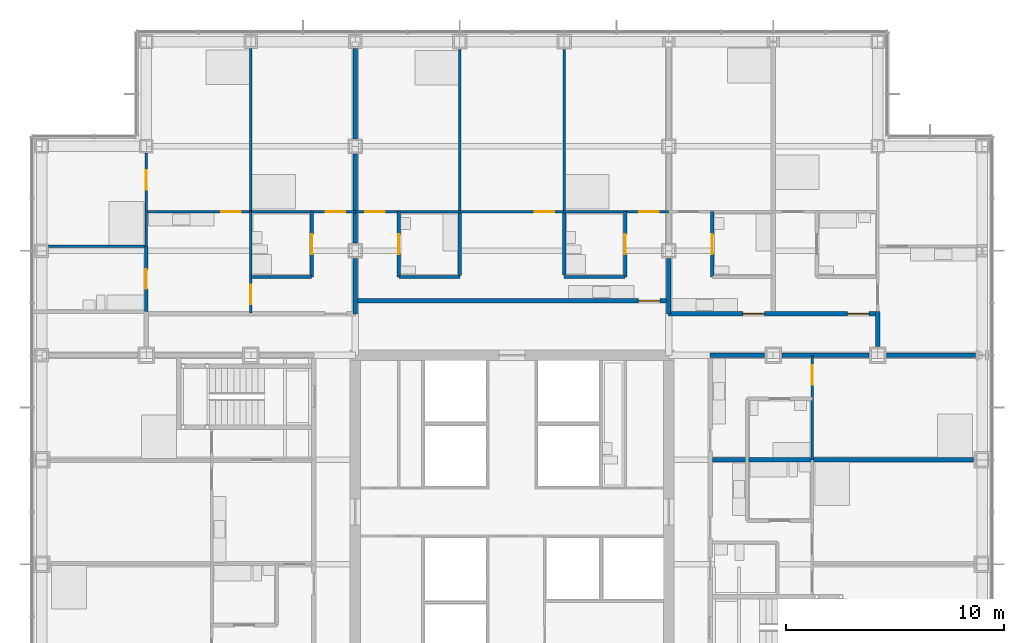
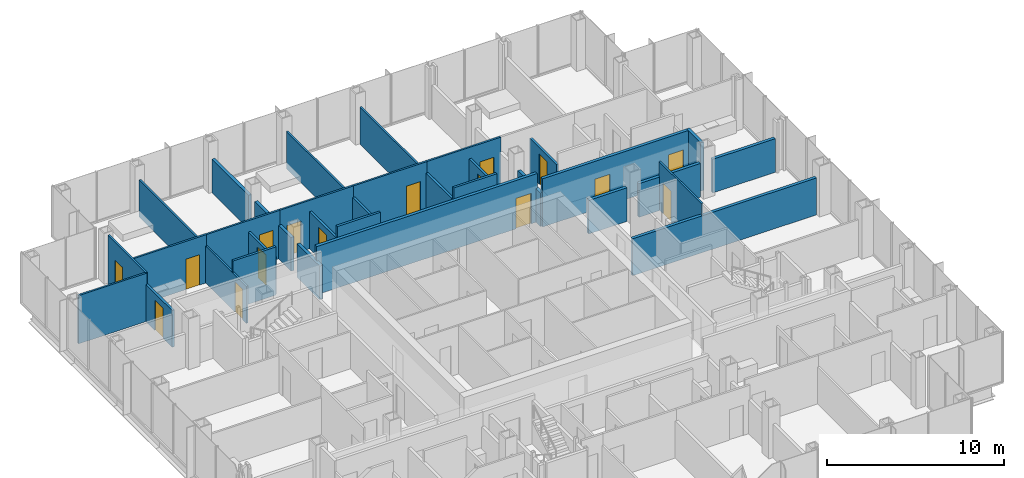
# One storey, part 17 of 21: 33 walls, 16 doors, 16 openings.
"""IFC4 building model written with IfcOpenShell, lengths in metres."""

from ifc_helpers import new_model, si_unit, direction, frame, frame_2d, origin, place, context, subcontext, project, spatial, rectangle, extrude, material, layer, layer_set, type_object, element, fill, save


model = new_model("IFC4")

# Units and contexts
model_context = context("Model", 3, precision=1e-05, world=origin(), true_north=direction((0.0, 1.0)))
body_context = subcontext(model_context, "Body", "Model", "MODEL_VIEW")
ifc_project = project(units=[si_unit("LENGTHUNIT", "METRE"), si_unit("AREAUNIT", "SQUARE_METRE"), si_unit("VOLUMEUNIT", "CUBIC_METRE"), si_unit("PLANEANGLEUNIT", "RADIAN"), si_unit("MASSUNIT", "GRAM", prefix="KILO")], contexts=[model_context])

# Site, building, storey
site_placement = place(None, origin())
site = spatial("IfcSite", under=ifc_project, at=site_placement, CompositionType="ELEMENT")
building_placement = place(site_placement, origin())
building = spatial("IfcBuilding", under=site, at=building_placement, Name="Kvirike Care Tower", CompositionType="ELEMENT")
storey_placement = place(building_placement, frame((0.0, 0.0, 41.0)))
storey = spatial("IfcBuildingStorey", under=building, at=storey_placement, Name="L10", CompositionType="ELEMENT", Elevation=41.0)

# Wall, opening, door
ifc_material_1 = material(Name="Moisture-resistant board partition", Category="gypsum")
ifc_layer_1 = layer(ifc_material_1, 0.14990234375)
ifc_layer_set_1 = layer_set([ifc_layer_1], Name="BATHROOM WALL 150")
wall_type_1 = type_object("IfcWallType", Name="BATHROOM WALL 150", PredefinedType="PARTITIONING", material=ifc_layer_set_1)
wall_1_placement = place(storey_placement, frame((12.39990234375, 49.800048828125, 0.0), z_axis=(0.0, 0.0, 1.0), x_axis=(0.0, -1.0, 0.0)))
wall_1 = element("IfcWall", 1, at=wall_1_placement, inside=storey, type_object=wall_type_1, Name="Bathroom Wall 150 L10", PredefinedType="PARTITIONING", context=body_context, shape_type="SweptSolid", body=[
    extrude(rectangle(XDim=3.0, YDim=0.14990234375, at=frame_2d((1.5, 0.0))), origin(), (0.0, 0.0, 1.0), 2.550048828125),
])
opening_1_placement = place(wall_1_placement, frame((1.050048828125, 0.0, 0.0)))
opening_1 = element("IfcOpeningElement", 2, at=opening_1_placement, cuts=wall_1, Name="Opening 10-017", PredefinedType="OPENING", context=body_context, shape_type="SweptSolid", body=[
    extrude(rectangle(XDim=0.89990234375, YDim=2.10009765625, at=frame_2d((0.449951171875, 1.050048828125))), frame((0.0, 0.08544921875, 0.0), z_axis=(0.0, -1.0, 0.0), x_axis=(1.0, 0.0, 0.0)), (0.0, 0.0, 1.0), 0.1708984375),
])
ifc_material_2 = material(Name="Timber door set", Category="wood")
door_type_1 = type_object("IfcDoorType", Name="BATHROOM DOOR 900", OperationType="SINGLE_SWING_RIGHT", PredefinedType="DOOR", material=ifc_material_2)
door_1_placement = place(opening_1_placement, frame((0.89990234375, 0.0, 0.0), z_axis=(0.0, 0.0, 1.0), x_axis=(-1.0, 0.0, 0.0)))
door_1 = element("IfcDoor", 3, at=door_1_placement, inside=storey, type_object=door_type_1, Name="Shower room door", OperationType="SINGLE_SWING_LEFT", OverallHeight=2.10009765625, OverallWidth=0.89990234375, PredefinedType="DOOR", context=body_context, shape_type="SweptSolid", body=[
    extrude(rectangle(XDim=0.89990234375, YDim=2.10009765625, at=frame_2d((0.449951171875, 1.050048828125))), frame((0.0, 0.02197265625, 0.0), z_axis=(0.0, -1.0, 0.0), x_axis=(1.0, 0.0, 0.0)), (0.0, 0.0, 1.0), 0.0439453125),
])
fill(opening_1, door_1)

# Wall
wall_2_placement = place(storey_placement, frame((12.39990234375, 46.800048828125, 0.0), z_axis=(0.0, 0.0, 1.0), x_axis=(-1.0, 0.0, 0.0)))
element("IfcWall", 4, at=wall_2_placement, inside=storey, type_object=wall_type_1, Name="Bathroom Wall 150 L10", PredefinedType="PARTITIONING", context=body_context, shape_type="SweptSolid", body=[
    extrude(rectangle(XDim=2.7998046875, YDim=0.14990234375, at=frame_2d((1.39990234375, 0.0))), origin(), (0.0, 0.0, 1.0), 3.330078125),
])

# Wall, opening, door
wall_3_placement = place(storey_placement, frame((4.800048828125, 48.199951171875, 0.0), z_axis=(0.0, 0.0, 1.0), x_axis=(0.0, -1.0, 0.0)))
wall_3 = element("IfcWall", 5, at=wall_3_placement, inside=storey, type_object=wall_type_1, Name="Bathroom Wall 150 L10", PredefinedType="PARTITIONING", context=body_context, shape_type="SweptSolid", body=[
    extrude(rectangle(XDim=3.0, YDim=0.14990234375, at=frame_2d((1.5, 0.0))), origin(), (0.0, 0.0, 1.0), 2.550048828125),
])
opening_2_placement = place(wall_3_placement, frame((1.050048828125, 0.0, 0.0)))
opening_2 = element("IfcOpeningElement", 6, at=opening_2_placement, cuts=wall_3, Name="Opening 10-018", PredefinedType="OPENING", context=body_context, shape_type="SweptSolid", body=[
    extrude(rectangle(XDim=0.89990234375, YDim=2.10009765625, at=frame_2d((0.449951171875, 1.050048828125))), frame((0.0, 0.08544921875, 0.0), z_axis=(0.0, -1.0, 0.0), x_axis=(1.0, 0.0, 0.0)), (0.0, 0.0, 1.0), 0.1708984375),
])
door_2_placement = place(opening_2_placement, frame((0.89990234375, 0.0, 0.0), z_axis=(0.0, 0.0, 1.0), x_axis=(-1.0, 0.0, 0.0)))
door_2 = element("IfcDoor", 7, at=door_2_placement, inside=storey, type_object=door_type_1, Name="Bathroom door", OperationType="SINGLE_SWING_RIGHT", OverallHeight=2.10009765625, OverallWidth=0.89990234375, PredefinedType="DOOR", context=body_context, shape_type="SweptSolid", body=[
    extrude(rectangle(XDim=0.89990234375, YDim=2.10009765625, at=frame_2d((0.449951171875, 1.050048828125))), frame((0.0, 0.02197265625, 0.0), z_axis=(0.0, -1.0, 0.0), x_axis=(1.0, 0.0, 0.0)), (0.0, 0.0, 1.0), 0.0439453125),
])
fill(opening_2, door_2)

wall_4_placement = place(storey_placement, frame((26.800048828125, 49.800048828125, 0.0), z_axis=(0.0, 0.0, 1.0), x_axis=(0.0, -1.0, 0.0)))
wall_4 = element("IfcWall", 8, at=wall_4_placement, inside=storey, type_object=wall_type_1, Name="Bathroom Wall 150 L10", PredefinedType="PARTITIONING", context=body_context, shape_type="SweptSolid", body=[
    extrude(rectangle(XDim=3.0, YDim=0.14990234375, at=frame_2d((1.5, 0.0))), origin(), (0.0, 0.0, 1.0), 2.550048828125),
])
opening_3_placement = place(wall_4_placement, frame((1.050048828125, 0.0, 0.0)))
opening_3 = element("IfcOpeningElement", 9, at=opening_3_placement, cuts=wall_4, Name="Opening 10-033", PredefinedType="OPENING", context=body_context, shape_type="SweptSolid", body=[
    extrude(rectangle(XDim=0.89990234375, YDim=2.10009765625, at=frame_2d((0.449951171875, 1.050048828125))), frame((0.0, 0.08544921875, 0.0), z_axis=(0.0, -1.0, 0.0), x_axis=(1.0, 0.0, 0.0)), (0.0, 0.0, 1.0), 0.1708984375),
])
door_3_placement = place(opening_3_placement, frame((0.89990234375, 0.0, 0.0), z_axis=(0.0, 0.0, 1.0), x_axis=(-1.0, 0.0, 0.0)))
door_3 = element("IfcDoor", 10, at=door_3_placement, inside=storey, type_object=door_type_1, Name="Shower room door", OperationType="SINGLE_SWING_RIGHT", OverallHeight=2.10009765625, OverallWidth=0.89990234375, PredefinedType="DOOR", context=body_context, shape_type="SweptSolid", body=[
    extrude(rectangle(XDim=0.89990234375, YDim=2.10009765625, at=frame_2d((0.449951171875, 1.050048828125))), frame((0.0, 0.02197265625, 0.0), z_axis=(0.0, -1.0, 0.0), x_axis=(1.0, 0.0, 0.0)), (0.0, 0.0, 1.0), 0.0439453125),
])
fill(opening_3, door_3)

# Wall
wall_5_placement = place(storey_placement, frame((26.800048828125, 46.800048828125, 0.0), z_axis=(0.0, 0.0, 1.0), x_axis=(-1.0, 0.0, 0.0)))
element("IfcWall", 11, at=wall_5_placement, inside=storey, type_object=wall_type_1, Name="Bathroom Wall 150 L10", PredefinedType="PARTITIONING", context=body_context, shape_type="SweptSolid", body=[
    extrude(rectangle(XDim=2.800048828125, YDim=0.14990234375, at=frame_2d((1.39990234375, 0.0))), origin(), (0.0, 0.0, 1.0), 3.330078125),
])

# Wall, opening, door
wall_6_placement = place(storey_placement, frame((16.39990234375, 49.800048828125, 0.0), z_axis=(0.0, 0.0, 1.0), x_axis=(0.0, -1.0, 0.0)))
wall_6 = element("IfcWall", 12, at=wall_6_placement, inside=storey, type_object=wall_type_1, Name="Bathroom Wall 150 L10", PredefinedType="PARTITIONING", context=body_context, shape_type="SweptSolid", body=[
    extrude(rectangle(XDim=3.0, YDim=0.14990234375, at=frame_2d((1.5, 0.0))), origin(), (0.0, 0.0, 1.0), 2.550048828125),
])
opening_4_placement = place(wall_6_placement, frame((1.050048828125, 0.0, 0.0)))
opening_4 = element("IfcOpeningElement", 13, at=opening_4_placement, cuts=wall_6, Name="Opening 10-034", PredefinedType="OPENING", context=body_context, shape_type="SweptSolid", body=[
    extrude(rectangle(XDim=0.89990234375, YDim=2.10009765625, at=frame_2d((0.449951171875, 1.050048828125))), frame((0.0, 0.08544921875, 0.0), z_axis=(0.0, -1.0, 0.0), x_axis=(1.0, 0.0, 0.0)), (0.0, 0.0, 1.0), 0.1708984375),
])
door_4_placement = place(opening_4_placement, origin())
door_4 = element("IfcDoor", 14, at=door_4_placement, inside=storey, type_object=door_type_1, Name="Bathroom door", OperationType="SINGLE_SWING_RIGHT", OverallHeight=2.10009765625, OverallWidth=0.89990234375, PredefinedType="DOOR", context=body_context, shape_type="SweptSolid", body=[
    extrude(rectangle(XDim=0.89990234375, YDim=2.10009765625, at=frame_2d((0.449951171875, 1.050048828125))), frame((0.0, 0.02197265625, 0.0), z_axis=(0.0, -1.0, 0.0), x_axis=(1.0, 0.0, 0.0)), (0.0, 0.0, 1.0), 0.0439453125),
])
fill(opening_4, door_4)

# Wall
wall_7_placement = place(storey_placement, frame((19.199951171875, 46.800048828125, 0.0), z_axis=(0.0, 0.0, 1.0), x_axis=(-1.0, 0.0, 0.0)))
element("IfcWall", 15, at=wall_7_placement, inside=storey, type_object=wall_type_1, Name="Bathroom Wall 150 L10", PredefinedType="PARTITIONING", context=body_context, shape_type="SweptSolid", body=[
    extrude(rectangle(XDim=2.800048828125, YDim=0.14990234375, at=frame_2d((1.39990234375, 0.0))), origin(), (0.0, 0.0, 1.0), 3.330078125),
])

# Wall, opening, door
wall_8_placement = place(storey_placement, frame((30.800048828125, 49.800048828125, 0.0), z_axis=(0.0, 0.0, 1.0), x_axis=(0.0, -1.0, 0.0)))
wall_8 = element("IfcWall", 16, at=wall_8_placement, inside=storey, type_object=wall_type_1, Name="Bathroom Wall 150 L10", PredefinedType="PARTITIONING", context=body_context, shape_type="SweptSolid", body=[
    extrude(rectangle(XDim=3.0, YDim=0.14990234375, at=frame_2d((1.5, 0.0))), origin(), (0.0, 0.0, 1.0), 2.550048828125),
])
opening_5_placement = place(wall_8_placement, frame((1.050048828125, 0.0, 0.0)))
opening_5 = element("IfcOpeningElement", 17, at=opening_5_placement, cuts=wall_8, Name="Opening 10-060", PredefinedType="OPENING", context=body_context, shape_type="SweptSolid", body=[
    extrude(rectangle(XDim=0.89990234375, YDim=2.10009765625, at=frame_2d((0.449951171875, 1.050048828125))), frame((0.0, 0.08544921875, 0.0), z_axis=(0.0, -1.0, 0.0), x_axis=(1.0, 0.0, 0.0)), (0.0, 0.0, 1.0), 0.1708984375),
])
door_5_placement = place(opening_5_placement, origin())
door_5 = element("IfcDoor", 18, at=door_5_placement, inside=storey, type_object=door_type_1, Name="Bathroom door", OperationType="SINGLE_SWING_RIGHT", OverallHeight=2.10009765625, OverallWidth=0.89990234375, PredefinedType="DOOR", context=body_context, shape_type="SweptSolid", body=[
    extrude(rectangle(XDim=0.89990234375, YDim=2.10009765625, at=frame_2d((0.449951171875, 1.050048828125))), frame((0.0, 0.02197265625, 0.0), z_axis=(0.0, -1.0, 0.0), x_axis=(1.0, 0.0, 0.0)), (0.0, 0.0, 1.0), 0.0439453125),
])
fill(opening_5, door_5)

# Walls
for number, where, z_axis, x_axis, name in (
    (19, (24.0, 46.875, 0.0), (0.0, 0.0, 1.0), (0.0, 1.0, 0.0), "Bathroom Wall 150 L10"),
    (20, (19.199951171875, 49.739990234375, 0.0), (0.0, 0.0, 1.0), (0.0, -1.0, 0.0), "Bathroom Wall 150 L10"),
):
    element("IfcWall", number, at=place(storey_placement, frame(where, z_axis=z_axis, x_axis=x_axis)), inside=storey, type_object=wall_type_1, Name=name, PredefinedType="PARTITIONING", context=body_context, shape_type="SweptSolid", body=[
        extrude(rectangle(XDim=2.864990234375, YDim=0.14990234375, at=frame_2d((1.4326171875, 0.0))), origin(), (0.0, 0.0, 1.0), 2.550048828125),
    ])

# Wall, opening, door
ifc_material_3 = material(Name="Plasterboard corridor wall", Category="gypsum")
ifc_layer_2 = layer(ifc_material_3, 0.199951171875)
ifc_layer_set_2 = layer_set([ifc_layer_2], Name="CORRIDOR WALL 200")
wall_type_2 = type_object("IfcWallType", Name="CORRIDOR WALL 200", PredefinedType="PARTITIONING", material=ifc_layer_set_2)
wall_9_placement = place(storey_placement, frame((28.800048828125, 45.699951171875, 0.0), z_axis=(0.0, 0.0, 1.0), x_axis=(-1.0, 0.0, 0.0)))
wall_9 = element("IfcWall", 21, at=wall_9_placement, inside=storey, type_object=wall_type_2, Name="Corridor Wall 200 L10", PredefinedType="PARTITIONING", context=body_context, shape_type="SweptSolid", body=[
    extrude(rectangle(XDim=14.400146484375, YDim=0.199951171875, at=frame_2d((7.2001953125, 0.0))), origin(), (0.0, 0.0, 1.0), 3.330078125),
])
opening_6_placement = place(wall_9_placement, frame((0.39990234375, 0.0, 0.0)))
opening_6 = element("IfcOpeningElement", 22, at=opening_6_placement, cuts=wall_9, Name="Opening 10-038", PredefinedType="OPENING", context=body_context, shape_type="SweptSolid", body=[
    extrude(rectangle(XDim=1.0, YDim=2.10009765625, at=frame_2d((0.5, 1.050048828125))), frame((0.0, 0.110595703125, 0.0), z_axis=(0.0, -1.0, 0.0), x_axis=(1.0, 0.0, 0.0)), (0.0, 0.0, 1.0), 0.220947265625),
])
ifc_material_4 = material(Name="Timber door set", Category="wood")
door_type_2 = type_object("IfcDoorType", Name="FLAT ENTRANCE DOOR 1000", OperationType="SINGLE_SWING_LEFT", PredefinedType="DOOR", material=ifc_material_4)
door_6_placement = place(opening_6_placement, frame((1.0, 0.0, 0.0), z_axis=(0.0, 0.0, 1.0), x_axis=(-1.0, 0.0, 0.0)))
door_6 = element("IfcDoor", 23, at=door_6_placement, inside=storey, type_object=door_type_2, Name="Two-bedroom apartment entrance", OperationType="SINGLE_SWING_LEFT", OverallHeight=2.10009765625, OverallWidth=1.0, PredefinedType="DOOR", context=body_context, shape_type="SweptSolid", body=[
    extrude(rectangle(XDim=1.0, YDim=2.10009765625, at=frame_2d((0.5, 1.050048828125))), frame((0.0, 0.02685546875, 0.0), z_axis=(0.0, -1.0, 0.0), x_axis=(1.0, 0.0, 0.0)), (0.0, 0.0, 1.0), 0.053955078125),
])
fill(opening_6, door_6)

# Wall, openings, doors
wall_10_placement = place(storey_placement, frame((38.39990234375, 45.10009765625, 0.0), z_axis=(0.0, 0.0, 1.0), x_axis=(-1.0, 0.0, 0.0)))
wall_10 = element("IfcWall", 24, at=wall_10_placement, inside=storey, type_object=wall_type_2, Name="Corridor Wall 200 L10", PredefinedType="PARTITIONING", context=body_context, shape_type="SweptSolid", body=[
    extrude(rectangle(XDim=9.599853515625, YDim=0.199951171875, at=frame_2d((4.7998046875, 0.0))), origin(), (0.0, 0.0, 1.0), 3.330078125),
])
opening_7_placement = place(wall_10_placement, frame((0.39990234375, 0.0, 0.0)))
opening_7 = element("IfcOpeningElement", 25, at=opening_7_placement, cuts=wall_10, Name="Opening 10-062", PredefinedType="OPENING", context=body_context, shape_type="SweptSolid", body=[
    extrude(rectangle(XDim=1.0, YDim=2.10009765625, at=frame_2d((0.5, 1.050048828125))), frame((0.0, 0.110595703125, 0.0), z_axis=(0.0, -1.0, 0.0), x_axis=(1.0, 0.0, 0.0)), (0.0, 0.0, 1.0), 0.220947265625),
])
opening_8_placement = place(wall_10_placement, frame((5.199951171875, 0.0, 0.0)))
opening_8 = element("IfcOpeningElement", 26, at=opening_8_placement, cuts=wall_10, Name="Opening 10-063", PredefinedType="OPENING", context=body_context, shape_type="SweptSolid", body=[
    extrude(rectangle(XDim=1.0, YDim=2.10009765625, at=frame_2d((0.5, 1.050048828125))), frame((0.0, 0.110595703125, 0.0), z_axis=(0.0, -1.0, 0.0), x_axis=(1.0, 0.0, 0.0)), (0.0, 0.0, 1.0), 0.220947265625),
])
door_7_placement = place(opening_7_placement, frame((1.0, 0.0, 0.0), z_axis=(0.0, 0.0, 1.0), x_axis=(-1.0, 0.0, 0.0)))
door_7 = element("IfcDoor", 27, at=door_7_placement, inside=storey, type_object=door_type_2, Name="One-bedroom apartment entrance", OperationType="SINGLE_SWING_LEFT", OverallHeight=2.10009765625, OverallWidth=1.0, PredefinedType="DOOR", context=body_context, shape_type="SweptSolid", body=[
    extrude(rectangle(XDim=1.0, YDim=2.10009765625, at=frame_2d((0.5, 1.050048828125))), frame((0.0, 0.02685546875, 0.0), z_axis=(0.0, -1.0, 0.0), x_axis=(1.0, 0.0, 0.0)), (0.0, 0.0, 1.0), 0.053955078125),
])
fill(opening_7, door_7)
door_8_placement = place(opening_8_placement, frame((1.0, 0.0, 0.0), z_axis=(0.0, 0.0, 1.0), x_axis=(-1.0, 0.0, 0.0)))
door_8 = element("IfcDoor", 28, at=door_8_placement, inside=storey, type_object=door_type_2, Name="Studio apartment entrance", OperationType="SINGLE_SWING_LEFT", OverallHeight=2.10009765625, OverallWidth=1.0, PredefinedType="DOOR", context=body_context, shape_type="SweptSolid", body=[
    extrude(rectangle(XDim=1.0, YDim=2.10009765625, at=frame_2d((0.5, 1.050048828125))), frame((0.0, 0.02685546875, 0.0), z_axis=(0.0, -1.0, 0.0), x_axis=(1.0, 0.0, 0.0)), (0.0, 0.0, 1.0), 0.053955078125),
])
fill(opening_8, door_8)

# Wall
wall_11_placement = place(storey_placement, frame((38.39990234375, 45.199951171875, 0.0), z_axis=(0.0, 0.0, 1.0), x_axis=(0.0, -1.0, 0.0)))
element("IfcWall", 29, at=wall_11_placement, inside=storey, type_object=wall_type_2, Name="Corridor Wall 200 L10", PredefinedType="PARTITIONING", context=body_context, shape_type="SweptSolid", body=[
    extrude(rectangle(XDim=1.60498046875, YDim=0.199951171875, at=frame_2d((0.802490234375, 0.0))), origin(), (0.0, 0.0, 1.0), 3.330078125),
])

# Wall, opening, door
ifc_material_5 = material(Name="Plasterboard partition", Category="gypsum")
ifc_layer_3 = layer(ifc_material_5, 0.1201171875)
ifc_layer_set_3 = layer_set([ifc_layer_3], Name="PARTITION 120")
wall_type_3 = type_object("IfcWallType", Name="PARTITION 120", PredefinedType="PARTITIONING", material=ifc_layer_set_3)
wall_12_placement = place(storey_placement, frame((9.60009765625, 49.800048828125, 0.0), z_axis=(0.0, 0.0, 1.0), x_axis=(0.0, -1.0, 0.0)))
wall_12 = element("IfcWall", 30, at=wall_12_placement, inside=storey, type_object=wall_type_3, Name="Partition 120 L10", PredefinedType="PARTITIONING", context=body_context, shape_type="SweptSolid", body=[
    extrude(rectangle(XDim=4.650146484375, YDim=0.1201171875, at=frame_2d((2.3251953125, 0.0))), origin(), (0.0, 0.0, 1.0), 2.550048828125),
])
opening_9_placement = place(wall_12_placement, frame((3.35009765625, 0.0, 0.0)))
opening_9 = element("IfcOpeningElement", 31, at=opening_9_placement, cuts=wall_12, Name="Opening 10-019", PredefinedType="OPENING", context=body_context, shape_type="SweptSolid", body=[
    extrude(rectangle(XDim=0.89990234375, YDim=2.10009765625, at=frame_2d((0.449951171875, 1.050048828125))), frame((0.0, 0.070556640625, 0.0), z_axis=(0.0, -1.0, 0.0), x_axis=(1.0, 0.0, 0.0)), (0.0, 0.0, 1.0), 0.14111328125),
])
ifc_material_6 = material(Name="Timber door set", Category="wood")
door_type_3 = type_object("IfcDoorType", Name="INTERNAL DOOR 900", OperationType="SINGLE_SWING_LEFT", PredefinedType="DOOR", material=ifc_material_6)
door_9_placement = place(opening_9_placement, origin())
door_9 = element("IfcDoor", 32, at=door_9_placement, inside=storey, type_object=door_type_3, Name="Hall door", OperationType="SINGLE_SWING_RIGHT", OverallHeight=2.10009765625, OverallWidth=0.89990234375, PredefinedType="DOOR", context=body_context, shape_type="SweptSolid", body=[
    extrude(rectangle(XDim=0.89990234375, YDim=2.10009765625, at=frame_2d((0.449951171875, 1.050048828125))), frame((0.0, 0.02197265625, 0.0), z_axis=(0.0, -1.0, 0.0), x_axis=(1.0, 0.0, 0.0)), (0.0, 0.0, 1.0), 0.0439453125),
])
fill(opening_9, door_9)

wall_13_placement = place(storey_placement, frame((14.39990234375, 49.800048828125, 0.0), z_axis=(0.0, 0.0, 1.0), x_axis=(-1.0, 0.0, 0.0)))
wall_13 = element("IfcWall", 33, at=wall_13_placement, inside=storey, type_object=wall_type_3, Name="Partition 120 L10", PredefinedType="PARTITIONING", context=body_context, shape_type="SweptSolid", body=[
    extrude(rectangle(XDim=4.7998046875, YDim=0.1201171875, at=frame_2d((2.39990234375, 0.0))), origin(), (0.0, 0.0, 1.0), 3.330078125),
])
opening_10_placement = place(wall_13_placement, frame((0.449951171875, 0.0, 0.0)))
opening_10 = element("IfcOpeningElement", 34, at=opening_10_placement, cuts=wall_13, Name="Opening 10-020", PredefinedType="OPENING", context=body_context, shape_type="SweptSolid", body=[
    extrude(rectangle(XDim=0.89990234375, YDim=2.10009765625, at=frame_2d((0.449951171875, 1.050048828125))), frame((0.0, 0.070556640625, 0.0), z_axis=(0.0, -1.0, 0.0), x_axis=(1.0, 0.0, 0.0)), (0.0, 0.0, 1.0), 0.14111328125),
])
door_10_placement = place(opening_10_placement, origin())
door_10 = element("IfcDoor", 35, at=door_10_placement, inside=storey, type_object=door_type_3, Name="Apartment bedroom door", OperationType="SINGLE_SWING_RIGHT", OverallHeight=2.10009765625, OverallWidth=0.89990234375, PredefinedType="DOOR", context=body_context, shape_type="SweptSolid", body=[
    extrude(rectangle(XDim=0.89990234375, YDim=2.10009765625, at=frame_2d((0.449951171875, 1.050048828125))), frame((0.0, 0.02197265625, 0.0), z_axis=(0.0, -1.0, 0.0), x_axis=(1.0, 0.0, 0.0)), (0.0, 0.0, 1.0), 0.0439453125),
])
fill(opening_10, door_10)

wall_14_placement = place(storey_placement, frame((9.60009765625, 49.800048828125, 0.0), z_axis=(0.0, 0.0, 1.0), x_axis=(-1.0, 0.0, 0.0)))
wall_14 = element("IfcWall", 36, at=wall_14_placement, inside=storey, type_object=wall_type_3, Name="Partition 120 L10", PredefinedType="PARTITIONING", context=body_context, shape_type="SweptSolid", body=[
    extrude(rectangle(XDim=4.800048828125, YDim=0.1201171875, at=frame_2d((2.39990234375, 0.0))), origin(), (0.0, 0.0, 1.0), 3.330078125),
])
opening_11_placement = place(wall_14_placement, frame((0.449951171875, 0.0, 0.0)))
opening_11 = element("IfcOpeningElement", 37, at=opening_11_placement, cuts=wall_14, Name="Opening 10-021", PredefinedType="OPENING", context=body_context, shape_type="SweptSolid", body=[
    extrude(rectangle(XDim=0.89990234375, YDim=2.10009765625, at=frame_2d((0.449951171875, 1.050048828125))), frame((0.0, 0.070556640625, 0.0), z_axis=(0.0, -1.0, 0.0), x_axis=(1.0, 0.0, 0.0)), (0.0, 0.0, 1.0), 0.14111328125),
])
door_11_placement = place(opening_11_placement, origin())
door_11 = element("IfcDoor", 38, at=door_11_placement, inside=storey, type_object=door_type_3, Name="Apartment bedroom door", OperationType="SINGLE_SWING_RIGHT", OverallHeight=2.10009765625, OverallWidth=0.89990234375, PredefinedType="DOOR", context=body_context, shape_type="SweptSolid", body=[
    extrude(rectangle(XDim=0.89990234375, YDim=2.10009765625, at=frame_2d((0.449951171875, 1.050048828125))), frame((0.0, 0.02197265625, 0.0), z_axis=(0.0, -1.0, 0.0), x_axis=(1.0, 0.0, 0.0)), (0.0, 0.0, 1.0), 0.0439453125),
])
fill(opening_11, door_11)

# Walls
wall_15_placement = place(storey_placement, frame((4.800048828125, 48.199951171875, 0.0), z_axis=(0.0, 0.0, 1.0), x_axis=(-1.0, 0.0, 0.0)))
element("IfcWall", 39, at=wall_15_placement, inside=storey, type_object=wall_type_3, Name="Partition 120 L10", PredefinedType="PARTITIONING", context=body_context, shape_type="SweptSolid", body=[
    extrude(rectangle(XDim=4.47998046875, YDim=0.1201171875, at=frame_2d((2.239990234375, 0.0))), origin(), (0.0, 0.0, 1.0), 3.330078125),
])
wall_16_placement = place(storey_placement, frame((9.60009765625, 57.280029296875, 0.0), z_axis=(0.0, 0.0, 1.0), x_axis=(0.0, -1.0, 0.0)))
element("IfcWall", 40, at=wall_16_placement, inside=storey, type_object=wall_type_3, Name="Partition 120 L10", PredefinedType="PARTITIONING", context=body_context, shape_type="SweptSolid", body=[
    extrude(rectangle(XDim=7.47998046875, YDim=0.1201171875, at=frame_2d((3.739990234375, 0.0))), origin(), (0.0, 0.0, 1.0), 2.550048828125),
])

# Wall, opening, door
wall_17_placement = place(storey_placement, frame((4.800048828125, 52.47998046875, 0.0), z_axis=(0.0, 0.0, 1.0), x_axis=(0.0, -1.0, 0.0)))
wall_17 = element("IfcWall", 41, at=wall_17_placement, inside=storey, type_object=wall_type_3, Name="Partition 120 L10", PredefinedType="PARTITIONING", context=body_context, shape_type="SweptSolid", body=[
    extrude(rectangle(XDim=4.280029296875, YDim=0.1201171875, at=frame_2d((2.14013671875, 0.0))), origin(), (0.0, 0.0, 1.0), 3.330078125),
])
opening_12_placement = place(wall_17_placement, frame((0.780029296875, 0.0, 0.0)))
opening_12 = element("IfcOpeningElement", 42, at=opening_12_placement, cuts=wall_17, Name="Opening 10-022", PredefinedType="OPENING", context=body_context, shape_type="SweptSolid", body=[
    extrude(rectangle(XDim=0.89990234375, YDim=2.10009765625, at=frame_2d((0.449951171875, 1.050048828125))), frame((0.0, 0.070556640625, 0.0), z_axis=(0.0, -1.0, 0.0), x_axis=(1.0, 0.0, 0.0)), (0.0, 0.0, 1.0), 0.14111328125),
])
door_12_placement = place(opening_12_placement, frame((0.89990234375, 0.0, 0.0), z_axis=(0.0, 0.0, 1.0), x_axis=(-1.0, 0.0, 0.0)))
door_12 = element("IfcDoor", 43, at=door_12_placement, inside=storey, type_object=door_type_3, Name="Connecting door", OperationType="SINGLE_SWING_LEFT", OverallHeight=2.10009765625, OverallWidth=0.89990234375, PredefinedType="DOOR", context=body_context, shape_type="SweptSolid", body=[
    extrude(rectangle(XDim=0.89990234375, YDim=2.10009765625, at=frame_2d((0.449951171875, 1.050048828125))), frame((0.0, 0.02197265625, 0.0), z_axis=(0.0, -1.0, 0.0), x_axis=(1.0, 0.0, 0.0)), (0.0, 0.0, 1.0), 0.0439453125),
])
fill(opening_12, door_12)

wall_18_placement = place(storey_placement, frame((28.800048828125, 49.800048828125, 0.0), z_axis=(0.0, 0.0, 1.0), x_axis=(-1.0, 0.0, 0.0)))
wall_18 = element("IfcWall", 44, at=wall_18_placement, inside=storey, type_object=wall_type_3, Name="Partition 120 L10", PredefinedType="PARTITIONING", context=body_context, shape_type="SweptSolid", body=[
    extrude(rectangle(XDim=4.800048828125, YDim=0.1201171875, at=frame_2d((2.39990234375, 0.0))), origin(), (0.0, 0.0, 1.0), 3.330078125),
])
opening_13_placement = place(wall_18_placement, frame((0.449951171875, 0.0, 0.0)))
opening_13 = element("IfcOpeningElement", 45, at=opening_13_placement, cuts=wall_18, Name="Opening 10-035", PredefinedType="OPENING", context=body_context, shape_type="SweptSolid", body=[
    extrude(rectangle(XDim=0.89990234375, YDim=2.10009765625, at=frame_2d((0.449951171875, 1.050048828125))), frame((0.0, 0.070556640625, 0.0), z_axis=(0.0, -1.0, 0.0), x_axis=(1.0, 0.0, 0.0)), (0.0, 0.0, 1.0), 0.14111328125),
])
door_13_placement = place(opening_13_placement, frame((0.89990234375, 0.0, 0.0), z_axis=(0.0, 0.0, 1.0), x_axis=(-1.0, 0.0, 0.0)))
door_13 = element("IfcDoor", 46, at=door_13_placement, inside=storey, type_object=door_type_3, Name="Apartment bedroom door", OperationType="SINGLE_SWING_LEFT", OverallHeight=2.10009765625, OverallWidth=0.89990234375, PredefinedType="DOOR", context=body_context, shape_type="SweptSolid", body=[
    extrude(rectangle(XDim=0.89990234375, YDim=2.10009765625, at=frame_2d((0.449951171875, 1.050048828125))), frame((0.0, 0.02197265625, 0.0), z_axis=(0.0, -1.0, 0.0), x_axis=(1.0, 0.0, 0.0)), (0.0, 0.0, 1.0), 0.0439453125),
])
fill(opening_13, door_13)

wall_19_placement = place(storey_placement, frame((24.0, 49.800048828125, 0.0), z_axis=(0.0, 0.0, 1.0), x_axis=(-1.0, 0.0, 0.0)))
wall_19 = element("IfcWall", 47, at=wall_19_placement, inside=storey, type_object=wall_type_3, Name="Partition 120 L10", PredefinedType="PARTITIONING", context=body_context, shape_type="SweptSolid", body=[
    extrude(rectangle(XDim=4.800048828125, YDim=0.1201171875, at=frame_2d((2.39990234375, 0.0))), origin(), (0.0, 0.0, 1.0), 3.330078125),
])
opening_14_placement = place(wall_19_placement, frame((0.449951171875, 0.0, 0.0)))
opening_14 = element("IfcOpeningElement", 48, at=opening_14_placement, cuts=wall_19, Name="Opening 10-036", PredefinedType="OPENING", context=body_context, shape_type="SweptSolid", body=[
    extrude(rectangle(XDim=0.89990234375, YDim=2.10009765625, at=frame_2d((0.449951171875, 1.050048828125))), frame((0.0, 0.070556640625, 0.0), z_axis=(0.0, -1.0, 0.0), x_axis=(1.0, 0.0, 0.0)), (0.0, 0.0, 1.0), 0.14111328125),
])
door_14_placement = place(opening_14_placement, frame((0.89990234375, 0.0, 0.0), z_axis=(0.0, 0.0, 1.0), x_axis=(-1.0, 0.0, 0.0)))
door_14 = element("IfcDoor", 49, at=door_14_placement, inside=storey, type_object=door_type_3, Name="Apartment living room door", OperationType="SINGLE_SWING_RIGHT", OverallHeight=2.10009765625, OverallWidth=0.89990234375, PredefinedType="DOOR", context=body_context, shape_type="SweptSolid", body=[
    extrude(rectangle(XDim=0.89990234375, YDim=2.10009765625, at=frame_2d((0.449951171875, 1.050048828125))), frame((0.0, 0.02197265625, 0.0), z_axis=(0.0, -1.0, 0.0), x_axis=(1.0, 0.0, 0.0)), (0.0, 0.0, 1.0), 0.0439453125),
])
fill(opening_14, door_14)

wall_20_placement = place(storey_placement, frame((19.199951171875, 49.800048828125, 0.0), z_axis=(0.0, 0.0, 1.0), x_axis=(-1.0, 0.0, 0.0)))
wall_20 = element("IfcWall", 50, at=wall_20_placement, inside=storey, type_object=wall_type_3, Name="Partition 120 L10", PredefinedType="PARTITIONING", context=body_context, shape_type="SweptSolid", body=[
    extrude(rectangle(XDim=4.800048828125, YDim=0.1201171875, at=frame_2d((2.39990234375, 0.0))), origin(), (0.0, 0.0, 1.0), 3.330078125),
])
opening_15_placement = place(wall_20_placement, frame((3.449951171875, 0.0, 0.0)))
opening_15 = element("IfcOpeningElement", 51, at=opening_15_placement, cuts=wall_20, Name="Opening 10-037", PredefinedType="OPENING", context=body_context, shape_type="SweptSolid", body=[
    extrude(rectangle(XDim=0.89990234375, YDim=2.10009765625, at=frame_2d((0.449951171875, 1.050048828125))), frame((0.0, 0.070556640625, 0.0), z_axis=(0.0, -1.0, 0.0), x_axis=(1.0, 0.0, 0.0)), (0.0, 0.0, 1.0), 0.14111328125),
])
door_15_placement = place(opening_15_placement, frame((0.89990234375, 0.0, 0.0), z_axis=(0.0, 0.0, 1.0), x_axis=(-1.0, 0.0, 0.0)))
door_15 = element("IfcDoor", 52, at=door_15_placement, inside=storey, type_object=door_type_3, Name="Apartment bedroom door", OperationType="SINGLE_SWING_RIGHT", OverallHeight=2.10009765625, OverallWidth=0.89990234375, PredefinedType="DOOR", context=body_context, shape_type="SweptSolid", body=[
    extrude(rectangle(XDim=0.89990234375, YDim=2.10009765625, at=frame_2d((0.449951171875, 1.050048828125))), frame((0.0, 0.02197265625, 0.0), z_axis=(0.0, -1.0, 0.0), x_axis=(1.0, 0.0, 0.0)), (0.0, 0.0, 1.0), 0.0439453125),
])
fill(opening_15, door_15)

# Walls
for number, where, z_axis, x_axis, name in (
    (53, (24.0, 57.2548828125, 0.0), (0.0, 0.0, 1.0), (0.0, -1.0, 0.0), "Partition 120 L10"),
    (54, (19.199951171875, 57.2548828125, 0.0), (0.0, 0.0, 1.0), (0.0, -1.0, 0.0), "Partition 120 L10"),
):
    element("IfcWall", number, at=place(storey_placement, frame(where, z_axis=z_axis, x_axis=x_axis)), inside=storey, type_object=wall_type_3, Name=name, PredefinedType="PARTITIONING", context=body_context, shape_type="SweptSolid", body=[
        extrude(rectangle(XDim=7.454833984375, YDim=0.1201171875, at=frame_2d((3.7275390625, 0.0))), origin(), (0.0, 0.0, 1.0), 2.550048828125),
    ])

# Wall, opening, door
wall_21_placement = place(storey_placement, frame((35.39990234375, 38.39990234375, 0.0), z_axis=(0.0, 0.0, 1.0), x_axis=(0.0, 1.0, 0.0)))
wall_21 = element("IfcWall", 55, at=wall_21_placement, inside=storey, type_object=wall_type_3, Name="Partition 120 L10", PredefinedType="PARTITIONING", context=body_context, shape_type="SweptSolid", body=[
    extrude(rectangle(XDim=4.800048828125, YDim=0.1201171875, at=frame_2d((2.39990234375, 0.0))), origin(), (0.0, 0.0, 1.0), 3.330078125),
])
opening_16_placement = place(wall_21_placement, frame((3.449951171875, 0.0, 0.0)))
opening_16 = element("IfcOpeningElement", 56, at=opening_16_placement, cuts=wall_21, Name="Opening 10-051", PredefinedType="OPENING", context=body_context, shape_type="SweptSolid", body=[
    extrude(rectangle(XDim=0.89990234375, YDim=2.10009765625, at=frame_2d((0.449951171875, 1.050048828125))), frame((0.0, 0.070556640625, 0.0), z_axis=(0.0, -1.0, 0.0), x_axis=(1.0, 0.0, 0.0)), (0.0, 0.0, 1.0), 0.14111328125),
])
door_16_placement = place(opening_16_placement, origin())
door_16 = element("IfcDoor", 57, at=door_16_placement, inside=storey, type_object=door_type_3, Name="Studio apartment living room door", OperationType="SINGLE_SWING_LEFT", OverallHeight=2.10009765625, OverallWidth=0.89990234375, PredefinedType="DOOR", context=body_context, shape_type="SweptSolid", body=[
    extrude(rectangle(XDim=0.89990234375, YDim=2.10009765625, at=frame_2d((0.449951171875, 1.050048828125))), frame((0.0, 0.02197265625, 0.0), z_axis=(0.0, -1.0, 0.0), x_axis=(1.0, 0.0, 0.0)), (0.0, 0.0, 1.0), 0.0439453125),
])
fill(opening_16, door_16)

# Walls
ifc_material_7 = material(Name="Plasterboard party wall", Category="gypsum")
ifc_layer_4 = layer(ifc_material_7, 0.199951171875)
ifc_layer_set_4 = layer_set([ifc_layer_4], Name="PARTY WALL 200")
wall_type_4 = type_object("IfcWallType", Name="PARTY WALL 200", PredefinedType="PARTITIONING", material=ifc_layer_set_4)
wall_22_placement = place(storey_placement, frame((42.804931640625, 38.39990234375, 0.0), z_axis=(0.0, 0.0, 1.0), x_axis=(-1.0, 0.0, 0.0)))
element("IfcWall", 58, at=wall_22_placement, inside=storey, type_object=wall_type_4, Name="Party Wall 200 L10", PredefinedType="PARTITIONING", context=body_context, shape_type="SweptSolid", body=[
    extrude(rectangle(XDim=12.0048828125, YDim=0.199951171875, at=frame_2d((6.00244140625, 0.0))), origin(), (0.0, 0.0, 1.0), 2.550048828125),
])
wall_23_placement = place(storey_placement, frame((14.39990234375, 45.10009765625, 0.0), z_axis=(0.0, 0.0, 1.0), x_axis=(0.0, 1.0, 0.0)))
element("IfcWall", 59, at=wall_23_placement, inside=storey, type_object=wall_type_4, Name="Party Wall 200 L10", PredefinedType="PARTITIONING", context=body_context, shape_type="SweptSolid", body=[
    extrude(rectangle(XDim=2.554931640625, YDim=0.199951171875, at=frame_2d((1.27734375, 0.0))), origin(), (0.0, 0.0, 1.0), 2.320068359375),
])
wall_24_placement = place(storey_placement, frame((14.39990234375, 48.344970703125, 0.0), z_axis=(0.0, 0.0, 1.0), x_axis=(0.0, 1.0, 0.0)))
element("IfcWall", 60, at=wall_24_placement, inside=storey, type_object=wall_type_4, Name="Party Wall 200 L10", PredefinedType="PARTITIONING", context=body_context, shape_type="SweptSolid", body=[
    extrude(rectangle(XDim=4.110107421875, YDim=0.199951171875, at=frame_2d((2.05517578125, 0.0))), origin(), (0.0, 0.0, 1.0), 2.320068359375),
])
wall_25_placement = place(storey_placement, frame((14.39990234375, 53.14501953125, 0.0), z_axis=(0.0, 0.0, 1.0), x_axis=(0.0, 1.0, 0.0)))
element("IfcWall", 61, at=wall_25_placement, inside=storey, type_object=wall_type_4, Name="Party Wall 200 L10", PredefinedType="PARTITIONING", context=body_context, shape_type="SweptSolid", body=[
    extrude(rectangle(XDim=4.135009765625, YDim=0.199951171875, at=frame_2d((2.0673828125, 0.0))), origin(), (0.0, 0.0, 1.0), 2.320068359375),
])
wall_26_placement = place(storey_placement, frame((28.800048828125, 45.10009765625, 0.0), z_axis=(0.0, 0.0, 1.0), x_axis=(0.0, 1.0, 0.0)))
element("IfcWall", 62, at=wall_26_placement, inside=storey, type_object=wall_type_4, Name="Party Wall 200 L10", PredefinedType="PARTITIONING", context=body_context, shape_type="SweptSolid", body=[
    extrude(rectangle(XDim=2.554931640625, YDim=0.199951171875, at=frame_2d((1.27734375, 0.0))), origin(), (0.0, 0.0, 1.0), 2.320068359375),
])
wall_27_placement = place(storey_placement, frame((42.8955078125, 43.199951171875, 0.0), z_axis=(0.0, 0.0, 1.0), x_axis=(-1.0, 0.0, 0.0)))
element("IfcWall", 63, at=wall_27_placement, inside=storey, type_object=wall_type_4, Name="Party Wall 200 L10", PredefinedType="PARTITIONING", context=body_context, shape_type="SweptSolid", body=[
    extrude(rectangle(XDim=4.1005859375, YDim=0.199951171875, at=frame_2d((2.05029296875, 0.0))), origin(), (0.0, 0.0, 1.0), 2.320068359375),
])
wall_28_placement = place(storey_placement, frame((38.0048828125, 43.199951171875, 0.0), z_axis=(0.0, 0.0, 1.0), x_axis=(-1.0, 0.0, 0.0)))
element("IfcWall", 64, at=wall_28_placement, inside=storey, type_object=wall_type_4, Name="Party Wall 200 L10", PredefinedType="PARTITIONING", context=body_context, shape_type="SweptSolid", body=[
    extrude(rectangle(XDim=4.009765625, YDim=0.199951171875, at=frame_2d((2.0048828125, 0.0))), origin(), (0.0, 0.0, 1.0), 2.320068359375),
])
wall_29_placement = place(storey_placement, frame((33.205078125, 43.199951171875, 0.0), z_axis=(0.0, 0.0, 1.0), x_axis=(-1.0, 0.0, 0.0)))
element("IfcWall", 65, at=wall_29_placement, inside=storey, type_object=wall_type_4, Name="Party Wall 200 L10", PredefinedType="PARTITIONING", context=body_context, shape_type="SweptSolid", body=[
    extrude(rectangle(XDim=2.505126953125, YDim=0.199951171875, at=frame_2d((1.25244140625, 0.0))), origin(), (0.0, 0.0, 1.0), 2.320068359375),
])

save(model, "model.ifc")
